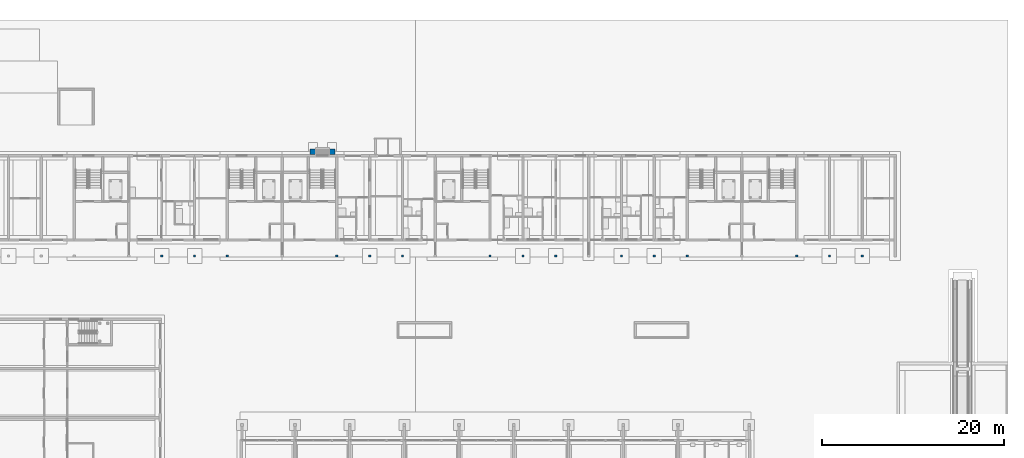
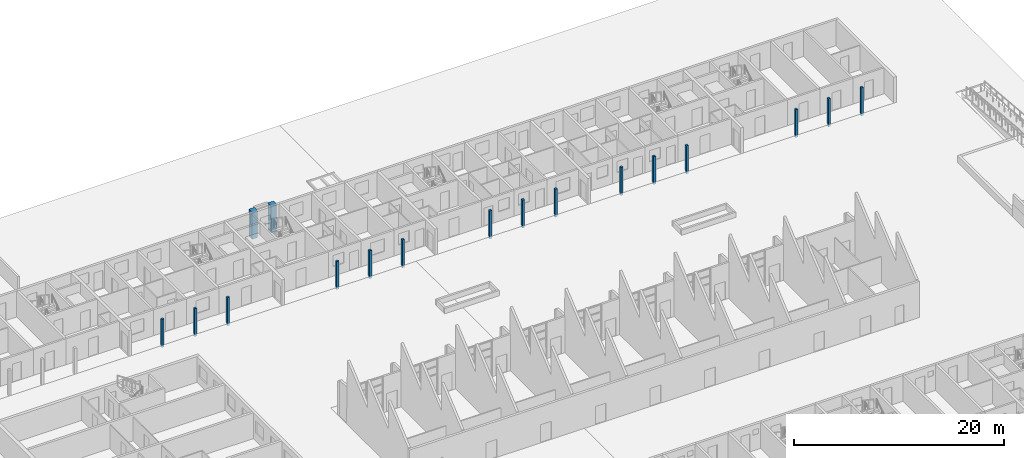
# One storey, part 17 of 112: 17 columns.
"""IFC4 building model written with IfcOpenShell, lengths in metres."""

from ifc_helpers import new_model, si_unit, direction, frame, origin, origin_2d, place, context, subcontext, project, spatial, rectangle, extrude, material, material_profile, profile_set, type_object, element, save


model = new_model("IFC4")

# Units and contexts
model_context = context("Model", 3, precision=1e-05, world=origin(), true_north=direction((0.0, 1.0)))
body_context = subcontext(model_context, "Body", "Model", "MODEL_VIEW")
ifc_project = project(units=[si_unit("LENGTHUNIT", "METRE"), si_unit("AREAUNIT", "SQUARE_METRE"), si_unit("VOLUMEUNIT", "CUBIC_METRE"), si_unit("PLANEANGLEUNIT", "RADIAN"), si_unit("MASSUNIT", "GRAM", prefix="KILO")], contexts=[model_context])

# Site, building, storey
site_placement = place(None, origin())
site = spatial("IfcSite", under=ifc_project, at=site_placement, CompositionType="ELEMENT")
building_placement = place(site_placement, origin())
building = spatial("IfcBuilding", under=site, at=building_placement, Name="Ridgestep Commons", CompositionType="ELEMENT")
storey_placement = place(building_placement, origin())
storey = spatial("IfcBuildingStorey", under=building, at=storey_placement, Name="L00", CompositionType="ELEMENT", Elevation=0.0)

# Columns
ifc_material_1 = material(Name="Precast concrete C40/50", Category="concrete")
ifc_material_profile_1 = material_profile(ifc_material_1, rectangle(XDim=0.25, YDim=0.25, at=origin_2d()), Name="PC 250x250")
ifc_profile_set_1 = profile_set([ifc_material_profile_1], Name="Precast concrete C40/50")
column_type_1 = type_object("IfcColumnType", Name="Loggia column 250 x 250", PredefinedType="COLUMN", material=ifc_profile_set_1)
for number, where, z_axis, x_axis, name in (
    (1, (167.199951171875, 66.125, -0.25), (0.0, 0.0, 1.0), (1.0, 0.0, 0.0), "Loggia column C L00"),
    (2, (170.800048828125, 66.125, -0.25), (0.0, 0.0, 1.0), (1.0, 0.0, 0.0), "Loggia column C L00"),
    (3, (174.39990234375, 66.125, -0.25), (0.0, 0.0, 1.0), (1.0, 0.0, 0.0), "Loggia column C L00"),
    (4, (186.39990234375, 66.125, -0.25), (0.0, 0.0, 1.0), (1.0, 0.0, 0.0), "Loggia column C L00"),
    (5, (190.0, 66.125, -0.25), (0.0, 0.0, 1.0), (1.0, 0.0, 0.0), "Loggia column C L00"),
    (6, (193.60009765625, 66.125, -0.25), (0.0, 0.0, 1.0), (1.0, 0.0, 0.0), "Loggia column C L00"),
    (7, (203.199951171875, 66.125, -0.25), (0.0, 0.0, 1.0), (1.0, 0.0, 0.0), "Loggia column C L00"),
    (8, (206.800048828125, 66.125, -0.25), (0.0, 0.0, 1.0), (1.0, 0.0, 0.0), "Loggia column C L00"),
    (9, (210.39990234375, 66.125, -0.25), (0.0, 0.0, 1.0), (1.0, 0.0, 0.0), "Loggia column C L00"),
    (10, (217.60009765625, 66.125, -0.25), (0.0, 0.0, 1.0), (1.0, 0.0, 0.0), "Loggia column C L00"),
    (11, (221.199951171875, 66.125, -0.25), (0.0, 0.0, 1.0), (1.0, 0.0, 0.0), "Loggia column C L00"),
    (12, (224.800048828125, 66.125, -0.25), (0.0, 0.0, 1.0), (1.0, 0.0, 0.0), "Loggia column C L00"),
    (13, (236.800048828125, 66.125, -0.25), (0.0, 0.0, 1.0), (1.0, 0.0, 0.0), "Loggia column C L00"),
    (14, (240.39990234375, 66.125, -0.25), (0.0, 0.0, 1.0), (1.0, 0.0, 0.0), "Loggia column C L00"),
    (15, (244.0, 66.125, -0.25), (0.0, 0.0, 1.0), (1.0, 0.0, 0.0), "Loggia column C L00"),
):
    element("IfcColumn", number, at=place(storey_placement, frame(where, z_axis=z_axis, x_axis=x_axis)), inside=storey, type_object=column_type_1, Name=name, PredefinedType="COLUMN", context=body_context, shape_type="SweptSolid", body=[
        extrude(rectangle(XDim=0.25, YDim=0.25, at=origin_2d()), origin(), (0.0, 0.0, 1.0), 3.25),
    ])
ifc_material_2 = material(Name="Precast concrete C40/50", Category="concrete")
ifc_material_profile_2 = material_profile(ifc_material_2, rectangle(XDim=0.60009765625, YDim=0.60009765625, at=origin_2d()), Name="PC 600x600")
ifc_profile_set_2 = profile_set([ifc_material_profile_2], Name="Precast concrete C40/50")
column_type_2 = type_object("IfcColumnType", Name="Portal pier 600 x 600", PredefinedType="COLUMN", material=ifc_profile_set_2)
for number, where, z_axis, x_axis, name in (
    (16, (183.77490234375, 77.550048828125, -0.25), (0.0, 0.0, 1.0), (1.0, 0.0, 0.0), "Portal pier C1"),
    (17, (185.875, 77.550048828125, -0.25), (0.0, 0.0, 1.0), (1.0, 0.0, 0.0), "Portal pier C2"),
):
    element("IfcColumn", number, at=place(storey_placement, frame(where, z_axis=z_axis, x_axis=x_axis)), inside=storey, type_object=column_type_2, Name=name, PredefinedType="COLUMN", context=body_context, shape_type="SweptSolid", body=[
        extrude(rectangle(XDim=0.60009765625, YDim=0.60009765625, at=origin_2d()), origin(), (0.0, 0.0, 1.0), 3.14990234375),
    ])

save(model, "model.ifc")
